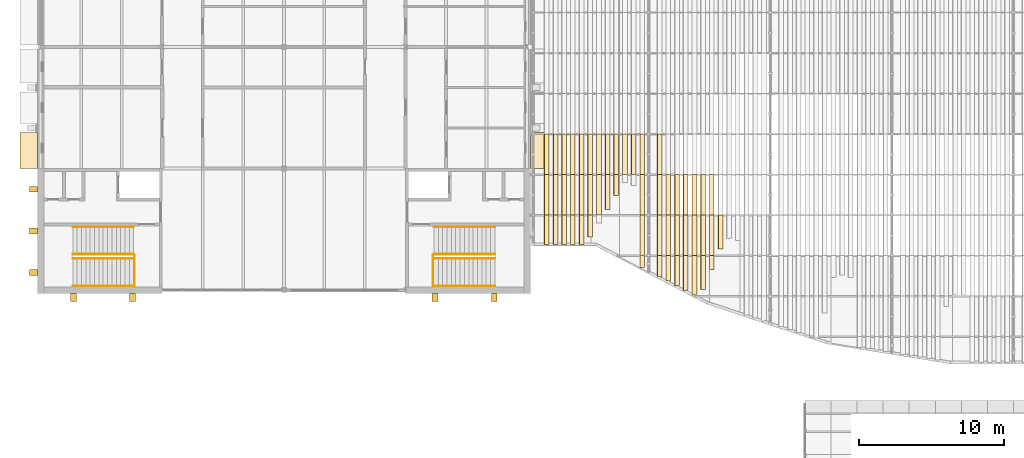
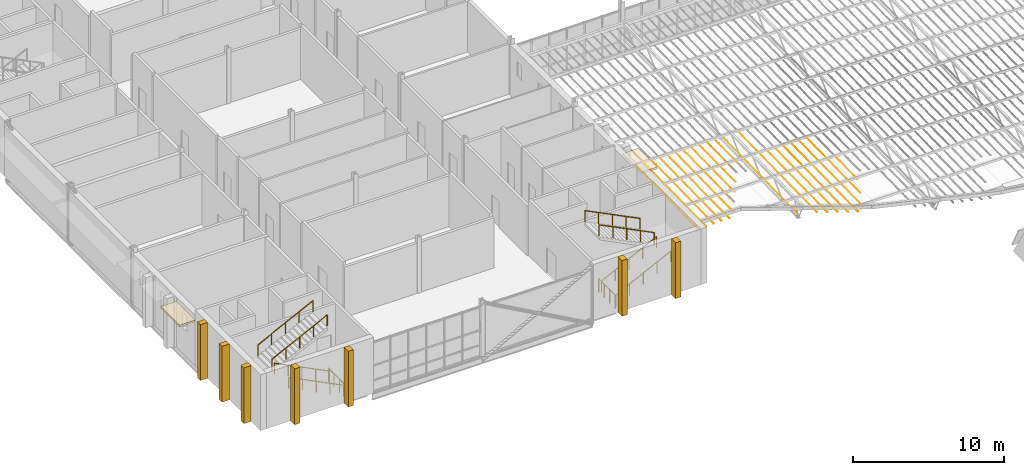
# One storey, part 115 of 129: 62 coverings, 10 railings.
"""IFC4 building model written with IfcOpenShell, lengths in metres."""

from ifc_helpers import new_model, si_unit, direction, frame, origin, origin_2d, place, context, subcontext, project, spatial, polyline, rectangle, circle, outline, extrude, material, layer, layer_set, material_profile, profile_set, type_object, element, save


model = new_model("IFC4")

# Units and contexts
model_context = context("Model", 3, precision=1e-05, world=origin(), true_north=direction((0.0, 1.0)))
body_context = subcontext(model_context, "Body", "Model", "MODEL_VIEW")
ifc_project = project(units=[si_unit("LENGTHUNIT", "METRE"), si_unit("AREAUNIT", "SQUARE_METRE"), si_unit("VOLUMEUNIT", "CUBIC_METRE"), si_unit("PLANEANGLEUNIT", "RADIAN"), si_unit("MASSUNIT", "GRAM", prefix="KILO")], contexts=[model_context])

# Site, building, storey
site_placement = place(None, origin())
site = spatial("IfcSite", under=ifc_project, at=site_placement, CompositionType="ELEMENT")
building_placement = place(site_placement, origin())
building = spatial("IfcBuilding", under=site, at=building_placement, Name="Ardhachandra Cancer Care Centre", CompositionType="ELEMENT")
storey_placement = place(building_placement, frame((0.0, 0.0, 4.5)))
storey = spatial("IfcBuildingStorey", under=building, at=storey_placement, Name="L01", CompositionType="ELEMENT", Elevation=4.5)

# Railings
ifc_material_1 = material(Name="Steel E250 (IS 2062)", Category="steel")
railing_type_1 = type_object("IfcRailingType", Name="Guard 1100", PredefinedType="GUARDRAIL", material=ifc_material_1)
for number, where, name in (
    (1, (17.284912109375, 29.655029296875, 0.0), "Stair well guard K1 L01"),
    (2, (37.9150390625, 29.655029296875, 0.0), "Stair well guard K2 L01"),
):
    element("IfcRailing", number, at=place(storey_placement, frame(where)), inside=storey, type_object=railing_type_1, Name=name, PredefinedType="GUARDRAIL", context=body_context, shape_type="SweptSolid", body=[
        extrude(circle(Radius=0.02392578125, at=origin_2d()), frame((0.0, 0.0, 1.076171875), z_axis=(0.0, 1.0, 0.0), x_axis=(-1.0, 0.0, 0.0)), (0.0, 0.0, 1.0), 2.169921875),
        extrude(circle(Radius=0.02099609375, at=origin_2d()), origin(), (0.0, 0.0, 1.0), 1.052001953125),
        extrude(circle(Radius=0.02099609375, at=origin_2d()), frame((0.0, 0.723388671875, 0.0)), (0.0, 0.0, 1.0), 1.052001953125),
        extrude(circle(Radius=0.02099609375, at=origin_2d()), frame((0.0, 1.446533203125, 0.0)), (0.0, 0.0, 1.0), 1.052001953125),
        extrude(circle(Radius=0.02099609375, at=origin_2d()), frame((0.0, 2.169921875, 0.0)), (0.0, 0.0, 1.0), 1.052001953125),
    ])

# Coverings
ifc_material_2 = material(Name="Anodised aluminium", Category="aluminium")
ifc_material_profile = material_profile(ifc_material_2, outline(polyline([(-0.01220703125, 0.0), (0.01220703125, 0.0), (0.327392578125, -0.449951171875), (0.302978515625, -0.449951171875), (-0.01220703125, 0.0)])), Name="Louvre fin 450")
ifc_profile_set = profile_set([ifc_material_profile], Name="Anodised aluminium")
covering_type_1 = type_object("IfcCoveringType", Name="Louvre fin 450", PredefinedType="CLADDING", material=ifc_profile_set)
for number, where, z_axis, x_axis, name in (
    (3, (45.60009765625, 40.175048828125, 2.46337890625), (0.0, -0.999800721691, -0.019962888244), (1.0, 0.0, 0.0), "Louvre fin 2-6"),
    (4, (45.60009765625, 37.375, 2.407470703125), (0.0, -0.999800721691, -0.019962888244), (1.0, 0.0, 0.0), "Louvre fin 2-7"),
):
    element("IfcCovering", number, at=place(storey_placement, frame(where, z_axis=z_axis, x_axis=x_axis)), inside=storey, type_object=covering_type_1, Name=name, PredefinedType="CLADDING", context=body_context, shape_type="SweptSolid", body=[
        extrude(outline(polyline([(-0.01220703125, 0.0), (0.01220703125, 0.0), (0.327392578125, -0.449951171875), (0.302978515625, -0.449951171875), (-0.01220703125, 0.0)])), origin(), (0.0, 0.0, 1.0), 2.800537109375),
    ])
covering_1_placement = place(storey_placement, frame((45.60009765625, 34.574951171875, 2.3515625), z_axis=(0.0, -0.999798314739, -0.020083073602), x_axis=(1.0, 0.0, 0.0)))
element("IfcCovering", 5, at=covering_1_placement, inside=storey, type_object=covering_type_1, Name="Louvre fin 2-8", PredefinedType="CLADDING", context=body_context, shape_type="SweptSolid", body=[
    extrude(outline(polyline([(-0.01220703125, 0.0), (0.01220703125, 0.0), (0.327392578125, -0.449951171875), (0.302978515625, -0.449951171875), (-0.01220703125, 0.0)])), origin(), (0.0, 0.0, 1.0), 2.01806640625),
])
for number, where, z_axis, x_axis, name in (
    (6, (46.199951171875, 40.175048828125, 2.46337890625), (0.0, -0.999800721691, -0.019962888244), (1.0, 0.0, 0.0), "Louvre fin 3-6"),
    (7, (46.199951171875, 37.375, 2.407470703125), (0.0, -0.999800721691, -0.019962888244), (1.0, 0.0, 0.0), "Louvre fin 3-7"),
):
    element("IfcCovering", number, at=place(storey_placement, frame(where, z_axis=z_axis, x_axis=x_axis)), inside=storey, type_object=covering_type_1, Name=name, PredefinedType="CLADDING", context=body_context, shape_type="SweptSolid", body=[
        extrude(outline(polyline([(-0.01220703125, 0.0), (0.01220703125, 0.0), (0.327392578125, -0.449951171875), (0.302978515625, -0.449951171875), (-0.01220703125, 0.0)])), origin(), (0.0, 0.0, 1.0), 2.800537109375),
    ])
covering_2_placement = place(storey_placement, frame((46.199951171875, 34.574951171875, 2.3515625), z_axis=(0.0, -0.999798314739, -0.020083073602), x_axis=(1.0, 0.0, 0.0)))
element("IfcCovering", 8, at=covering_2_placement, inside=storey, type_object=covering_type_1, Name="Louvre fin 3-8", PredefinedType="CLADDING", context=body_context, shape_type="SweptSolid", body=[
    extrude(outline(polyline([(-0.01220703125, 0.0), (0.01220703125, 0.0), (0.327392578125, -0.449951171875), (0.302978515625, -0.449951171875), (-0.01220703125, 0.0)])), origin(), (0.0, 0.0, 1.0), 2.01806640625),
])
for number, where, z_axis, x_axis, name in (
    (9, (46.800048828125, 40.175048828125, 2.46337890625), (0.0, -0.999800721691, -0.019962888244), (1.0, 0.0, 0.0), "Louvre fin 4-6"),
    (10, (46.800048828125, 37.375, 2.407470703125), (0.0, -0.999800721691, -0.019962888244), (1.0, 0.0, 0.0), "Louvre fin 4-7"),
):
    element("IfcCovering", number, at=place(storey_placement, frame(where, z_axis=z_axis, x_axis=x_axis)), inside=storey, type_object=covering_type_1, Name=name, PredefinedType="CLADDING", context=body_context, shape_type="SweptSolid", body=[
        extrude(outline(polyline([(-0.01220703125, 0.0), (0.01220703125, 0.0), (0.327392578125, -0.449951171875), (0.302978515625, -0.449951171875), (-0.01220703125, 0.0)])), origin(), (0.0, 0.0, 1.0), 2.800537109375),
    ])
covering_3_placement = place(storey_placement, frame((46.800048828125, 34.574951171875, 2.3515625), z_axis=(0.0, -0.999798314739, -0.020083073602), x_axis=(1.0, 0.0, 0.0)))
element("IfcCovering", 11, at=covering_3_placement, inside=storey, type_object=covering_type_1, Name="Louvre fin 4-8", PredefinedType="CLADDING", context=body_context, shape_type="SweptSolid", body=[
    extrude(outline(polyline([(-0.01220703125, 0.0), (0.01220703125, 0.0), (0.327392578125, -0.449951171875), (0.302978515625, -0.449951171875), (-0.01220703125, 0.0)])), origin(), (0.0, 0.0, 1.0), 2.01806640625),
])
for number, where, z_axis, x_axis, name in (
    (12, (47.39990234375, 40.175048828125, 2.46337890625), (0.0, -0.999800721691, -0.019962888244), (1.0, 0.0, 0.0), "Louvre fin 5-6"),
    (13, (47.39990234375, 37.375, 2.407470703125), (0.0, -0.999800721691, -0.019962888244), (1.0, 0.0, 0.0), "Louvre fin 5-7"),
):
    element("IfcCovering", number, at=place(storey_placement, frame(where, z_axis=z_axis, x_axis=x_axis)), inside=storey, type_object=covering_type_1, Name=name, PredefinedType="CLADDING", context=body_context, shape_type="SweptSolid", body=[
        extrude(outline(polyline([(-0.01220703125, 0.0), (0.01220703125, 0.0), (0.327392578125, -0.449951171875), (0.302978515625, -0.449951171875), (-0.01220703125, 0.0)])), origin(), (0.0, 0.0, 1.0), 2.800537109375),
    ])
covering_4_placement = place(storey_placement, frame((47.39990234375, 34.574951171875, 2.3515625), z_axis=(0.0, -0.999798314739, -0.020083073602), x_axis=(1.0, 0.0, 0.0)))
element("IfcCovering", 14, at=covering_4_placement, inside=storey, type_object=covering_type_1, Name="Louvre fin 5-8", PredefinedType="CLADDING", context=body_context, shape_type="SweptSolid", body=[
    extrude(outline(polyline([(-0.01220703125, 0.0), (0.01220703125, 0.0), (0.327392578125, -0.449951171875), (0.302978515625, -0.449951171875), (-0.01220703125, 0.0)])), origin(), (0.0, 0.0, 1.0), 2.01806640625),
])
for number, where, z_axis, x_axis, name in (
    (15, (48.0, 40.175048828125, 2.46337890625), (0.0, -0.999800721691, -0.019962888244), (1.0, 0.0, 0.0), "Louvre fin 6-6"),
    (16, (48.0, 37.375, 2.407470703125), (0.0, -0.999800721691, -0.019962888244), (1.0, 0.0, 0.0), "Louvre fin 6-7"),
):
    element("IfcCovering", number, at=place(storey_placement, frame(where, z_axis=z_axis, x_axis=x_axis)), inside=storey, type_object=covering_type_1, Name=name, PredefinedType="CLADDING", context=body_context, shape_type="SweptSolid", body=[
        extrude(outline(polyline([(-0.01220703125, 0.0), (0.01220703125, 0.0), (0.327392578125, -0.449951171875), (0.302978515625, -0.449951171875), (-0.01220703125, 0.0)])), origin(), (0.0, 0.0, 1.0), 2.800537109375),
    ])
covering_5_placement = place(storey_placement, frame((48.0, 34.574951171875, 2.3515625), z_axis=(0.0, -0.999798314739, -0.020083073602), x_axis=(1.0, 0.0, 0.0)))
element("IfcCovering", 17, at=covering_5_placement, inside=storey, type_object=covering_type_1, Name="Louvre fin 6-8", PredefinedType="CLADDING", context=body_context, shape_type="SweptSolid", body=[
    extrude(outline(polyline([(-0.01220703125, 0.0), (0.01220703125, 0.0), (0.327392578125, -0.449951171875), (0.302978515625, -0.449951171875), (-0.01220703125, 0.0)])), origin(), (0.0, 0.0, 1.0), 2.01806640625),
])
for number, where, z_axis, x_axis, name in (
    (18, (48.60009765625, 40.175048828125, 2.46337890625), (0.0, -0.999800721691, -0.019962888244), (1.0, 0.0, 0.0), "Louvre fin 7-6"),
    (19, (48.60009765625, 37.375, 2.407470703125), (0.0, -0.999800721691, -0.019962888244), (1.0, 0.0, 0.0), "Louvre fin 7-7"),
):
    element("IfcCovering", number, at=place(storey_placement, frame(where, z_axis=z_axis, x_axis=x_axis)), inside=storey, type_object=covering_type_1, Name=name, PredefinedType="CLADDING", context=body_context, shape_type="SweptSolid", body=[
        extrude(outline(polyline([(-0.01220703125, 0.0), (0.01220703125, 0.0), (0.327392578125, -0.449951171875), (0.302978515625, -0.449951171875), (-0.01220703125, 0.0)])), origin(), (0.0, 0.0, 1.0), 2.800537109375),
    ])
covering_6_placement = place(storey_placement, frame((48.60009765625, 34.574951171875, 2.3515625), z_axis=(0.0, -0.999799669399, -0.020015520725), x_axis=(1.0, 0.0, 0.0)))
element("IfcCovering", 20, at=covering_6_placement, inside=storey, type_object=covering_type_1, Name="Louvre fin 7-8", PredefinedType="CLADDING", context=body_context, shape_type="SweptSolid", body=[
    extrude(outline(polyline([(-0.01220703125, 0.0), (0.01220703125, 0.0), (0.327392578125, -0.449951171875), (0.302978515625, -0.449951171875), (-0.01220703125, 0.0)])), origin(), (0.0, 0.0, 1.0), 1.500244140625),
])
for number, where, z_axis, x_axis, name in (
    (21, (49.199951171875, 40.175048828125, 2.46337890625), (0.0, -0.999800721691, -0.019962888244), (1.0, 0.0, 0.0), "Louvre fin 8-6"),
    (22, (49.199951171875, 37.375, 2.407470703125), (0.0, -0.999800721691, -0.019962888244), (1.0, 0.0, 0.0), "Louvre fin 8-7"),
    (23, (49.800048828125, 40.175048828125, 2.46337890625), (0.0, -0.999800721691, -0.019962888244), (1.0, 0.0, 0.0), "Louvre fin 9-6"),
):
    element("IfcCovering", number, at=place(storey_placement, frame(where, z_axis=z_axis, x_axis=x_axis)), inside=storey, type_object=covering_type_1, Name=name, PredefinedType="CLADDING", context=body_context, shape_type="SweptSolid", body=[
        extrude(outline(polyline([(-0.01220703125, 0.0), (0.01220703125, 0.0), (0.327392578125, -0.449951171875), (0.302978515625, -0.449951171875), (-0.01220703125, 0.0)])), origin(), (0.0, 0.0, 1.0), 2.800537109375),
    ])
covering_7_placement = place(storey_placement, frame((49.800048828125, 37.375, 2.407470703125), z_axis=(0.0, -0.999801278141, -0.019935000052), x_axis=(1.0, 0.0, 0.0)))
element("IfcCovering", 24, at=covering_7_placement, inside=storey, type_object=covering_type_1, Name="Louvre fin 9-7", PredefinedType="CLADDING", context=body_context, shape_type="SweptSolid", body=[
    extrude(outline(polyline([(-0.01220703125, 0.0), (0.01220703125, 0.0), (0.327392578125, -0.449951171875), (0.302978515625, -0.449951171875), (-0.01220703125, 0.0)])), origin(), (0.0, 0.0, 1.0), 2.400390625),
])
covering_8_placement = place(storey_placement, frame((50.39990234375, 40.175048828125, 2.46337890625), z_axis=(0.0, -0.999800721691, -0.019962888244), x_axis=(1.0, 0.0, 0.0)))
element("IfcCovering", 25, at=covering_8_placement, inside=storey, type_object=covering_type_1, Name="Louvre fin 10-6", PredefinedType="CLADDING", context=body_context, shape_type="SweptSolid", body=[
    extrude(outline(polyline([(-0.01220703125, 0.0), (0.01220703125, 0.0), (0.327392578125, -0.449951171875), (0.302978515625, -0.449951171875), (-0.01220703125, 0.0)])), origin(), (0.0, 0.0, 1.0), 2.800537109375),
])
covering_9_placement = place(storey_placement, frame((50.39990234375, 37.375, 2.407470703125), z_axis=(0.0, -0.999799318874, -0.020033022217), x_axis=(1.0, 0.0, 0.0)))
element("IfcCovering", 26, at=covering_9_placement, inside=storey, type_object=covering_type_1, Name="Louvre fin 10-7", PredefinedType="CLADDING", context=body_context, shape_type="SweptSolid", body=[
    extrude(outline(polyline([(-0.01220703125, 0.0), (0.01220703125, 0.0), (0.327392578125, -0.449951171875), (0.302978515625, -0.449951171875), (-0.01220703125, 0.0)])), origin(), (0.0, 0.0, 1.0), 1.4501953125),
])
for number, where, z_axis, x_axis, name in (
    (27, (51.0, 40.175048828125, 2.46337890625), (0.0, -0.999800721691, -0.019962888244), (1.0, 0.0, 0.0), "Louvre fin 11-6"),
    (28, (51.60009765625, 40.175048828125, 2.46337890625), (0.0, -0.999800721691, -0.019962888244), (1.0, 0.0, 0.0), "Louvre fin 12-6"),
    (29, (52.199951171875, 40.175048828125, 2.46337890625), (0.0, -0.999800721691, -0.019962888244), (1.0, 0.0, 0.0), "Louvre fin 13-6"),
    (30, (52.199951171875, 37.375, 2.407470703125), (0.0, -0.999800721691, -0.019962888244), (1.0, 0.0, 0.0), "Louvre fin 13-7"),
    (31, (52.199951171875, 34.574951171875, 2.3515625), (0.0, -0.999798977995, -0.02005002746), (1.0, 0.0, 0.0), "Louvre fin 13-8"),
):
    element("IfcCovering", number, at=place(storey_placement, frame(where, z_axis=z_axis, x_axis=x_axis)), inside=storey, type_object=covering_type_1, Name=name, PredefinedType="CLADDING", context=body_context, shape_type="SweptSolid", body=[
        extrude(outline(polyline([(-0.01220703125, 0.0), (0.01220703125, 0.0), (0.327392578125, -0.449951171875), (0.302978515625, -0.449951171875), (-0.01220703125, 0.0)])), origin(), (0.0, 0.0, 1.0), 2.800537109375),
    ])
covering_10_placement = place(storey_placement, frame((52.199951171875, 31.77490234375, 2.29541015625), z_axis=(0.0, -0.999802776604, -0.019859705316), x_axis=(1.0, 0.0, 0.0)))
element("IfcCovering", 32, at=covering_10_placement, inside=storey, type_object=covering_type_1, Name="Louvre fin 13-9", PredefinedType="CLADDING", context=body_context, shape_type="SweptSolid", body=[
    extrude(outline(polyline([(-0.01220703125, 0.0), (0.01220703125, 0.0), (0.327392578125, -0.449951171875), (0.302978515625, -0.449951171875), (-0.01220703125, 0.0)])), origin(), (0.0, 0.0, 1.0), 0.82373046875),
])
for number, where, z_axis, x_axis, name in (
    (33, (53.39990234375, 40.175048828125, 2.46337890625), (0.0, -0.999800721691, -0.019962888244), (1.0, 0.0, 0.0), "Louvre fin 15-6"),
    (34, (53.39990234375, 37.375, 2.407470703125), (0.0, -0.999800721691, -0.019962888244), (1.0, 0.0, 0.0), "Louvre fin 15-7"),
    (35, (53.39990234375, 34.574951171875, 2.3515625), (0.0, -0.999798977995, -0.02005002746), (1.0, 0.0, 0.0), "Louvre fin 15-8"),
):
    element("IfcCovering", number, at=place(storey_placement, frame(where, z_axis=z_axis, x_axis=x_axis)), inside=storey, type_object=covering_type_1, Name=name, PredefinedType="CLADDING", context=body_context, shape_type="SweptSolid", body=[
        extrude(outline(polyline([(-0.01220703125, 0.0), (0.01220703125, 0.0), (0.327392578125, -0.449951171875), (0.302978515625, -0.449951171875), (-0.01220703125, 0.0)])), origin(), (0.0, 0.0, 1.0), 2.800537109375),
    ])
covering_11_placement = place(storey_placement, frame((53.39990234375, 31.77490234375, 2.29541015625), z_axis=(0.0, -0.999799588843, -0.020019544182), x_axis=(1.0, 0.0, 0.0)))
element("IfcCovering", 36, at=covering_11_placement, inside=storey, type_object=covering_type_1, Name="Louvre fin 15-9", PredefinedType="CLADDING", context=body_context, shape_type="SweptSolid", body=[
    extrude(outline(polyline([(-0.01220703125, 0.0), (0.01220703125, 0.0), (0.327392578125, -0.449951171875), (0.302978515625, -0.449951171875), (-0.01220703125, 0.0)])), origin(), (0.0, 0.0, 1.0), 1.451171875),
])
for number, where, z_axis, x_axis, name in (
    (37, (54.0, 37.375, 2.407470703125), (0.0, -0.999800721691, -0.019962888244), (1.0, 0.0, 0.0), "Louvre fin 16-7"),
    (38, (54.0, 34.574951171875, 2.3515625), (0.0, -0.999798977995, -0.02005002746), (1.0, 0.0, 0.0), "Louvre fin 16-8"),
):
    element("IfcCovering", number, at=place(storey_placement, frame(where, z_axis=z_axis, x_axis=x_axis)), inside=storey, type_object=covering_type_1, Name=name, PredefinedType="CLADDING", context=body_context, shape_type="SweptSolid", body=[
        extrude(outline(polyline([(-0.01220703125, 0.0), (0.01220703125, 0.0), (0.327392578125, -0.449951171875), (0.302978515625, -0.449951171875), (-0.01220703125, 0.0)])), origin(), (0.0, 0.0, 1.0), 2.800537109375),
    ])
covering_12_placement = place(storey_placement, frame((54.0, 31.77490234375, 2.29541015625), z_axis=(0.0, -0.999801605584, -0.019918571002), x_axis=(1.0, 0.0, 0.0)))
element("IfcCovering", 39, at=covering_12_placement, inside=storey, type_object=covering_type_1, Name="Louvre fin 16-9", PredefinedType="CLADDING", context=body_context, shape_type="SweptSolid", body=[
    extrude(outline(polyline([(-0.01220703125, 0.0), (0.01220703125, 0.0), (0.327392578125, -0.449951171875), (0.302978515625, -0.449951171875), (-0.01220703125, 0.0)])), origin(), (0.0, 0.0, 1.0), 1.764892578125),
])
for number, where, z_axis, x_axis, name in (
    (40, (54.60009765625, 37.375, 2.407470703125), (0.0, -0.999800721691, -0.019962888244), (1.0, 0.0, 0.0), "Louvre fin 17-7"),
    (41, (54.60009765625, 34.574951171875, 2.3515625), (0.0, -0.999798977995, -0.02005002746), (1.0, 0.0, 0.0), "Louvre fin 17-8"),
):
    element("IfcCovering", number, at=place(storey_placement, frame(where, z_axis=z_axis, x_axis=x_axis)), inside=storey, type_object=covering_type_1, Name=name, PredefinedType="CLADDING", context=body_context, shape_type="SweptSolid", body=[
        extrude(outline(polyline([(-0.01220703125, 0.0), (0.01220703125, 0.0), (0.327392578125, -0.449951171875), (0.302978515625, -0.449951171875), (-0.01220703125, 0.0)])), origin(), (0.0, 0.0, 1.0), 2.800537109375),
    ])
covering_13_placement = place(storey_placement, frame((54.60009765625, 31.77490234375, 2.29541015625), z_axis=(0.0, -0.999800669979, -0.019965477963), x_axis=(1.0, 0.0, 0.0)))
element("IfcCovering", 42, at=covering_13_placement, inside=storey, type_object=covering_type_1, Name="Louvre fin 17-9", PredefinedType="CLADDING", context=body_context, shape_type="SweptSolid", body=[
    extrude(outline(polyline([(-0.01220703125, 0.0), (0.01220703125, 0.0), (0.327392578125, -0.449951171875), (0.302978515625, -0.449951171875), (-0.01220703125, 0.0)])), origin(), (0.0, 0.0, 1.0), 2.078857421875),
])
for number, where, z_axis, x_axis, name in (
    (43, (55.199951171875, 37.375, 2.407470703125), (0.0, -0.999800721691, -0.019962888244), (1.0, 0.0, 0.0), "Louvre fin 18-7"),
    (44, (55.199951171875, 34.574951171875, 2.3515625), (0.0, -0.999798977995, -0.02005002746), (1.0, 0.0, 0.0), "Louvre fin 18-8"),
):
    element("IfcCovering", number, at=place(storey_placement, frame(where, z_axis=z_axis, x_axis=x_axis)), inside=storey, type_object=covering_type_1, Name=name, PredefinedType="CLADDING", context=body_context, shape_type="SweptSolid", body=[
        extrude(outline(polyline([(-0.01220703125, 0.0), (0.01220703125, 0.0), (0.327392578125, -0.449951171875), (0.302978515625, -0.449951171875), (-0.01220703125, 0.0)])), origin(), (0.0, 0.0, 1.0), 2.800537109375),
    ])
covering_14_placement = place(storey_placement, frame((55.199951171875, 31.77490234375, 2.29541015625), z_axis=(0.0, -0.999799978371, -0.020000081217), x_axis=(1.0, 0.0, 0.0)))
element("IfcCovering", 45, at=covering_14_placement, inside=storey, type_object=covering_type_1, Name="Louvre fin 18-9", PredefinedType="CLADDING", context=body_context, shape_type="SweptSolid", body=[
    extrude(outline(polyline([(-0.01220703125, 0.0), (0.01220703125, 0.0), (0.327392578125, -0.449951171875), (0.302978515625, -0.449951171875), (-0.01220703125, 0.0)])), origin(), (0.0, 0.0, 1.0), 2.392578125),
])
for number, where, z_axis, x_axis, name in (
    (46, (55.800048828125, 37.375, 2.407470703125), (0.0, -0.999800721691, -0.019962888244), (1.0, 0.0, 0.0), "Louvre fin 19-7"),
    (47, (55.800048828125, 34.574951171875, 2.3515625), (0.0, -0.999798977995, -0.02005002746), (1.0, 0.0, 0.0), "Louvre fin 19-8"),
):
    element("IfcCovering", number, at=place(storey_placement, frame(where, z_axis=z_axis, x_axis=x_axis)), inside=storey, type_object=covering_type_1, Name=name, PredefinedType="CLADDING", context=body_context, shape_type="SweptSolid", body=[
        extrude(outline(polyline([(-0.01220703125, 0.0), (0.01220703125, 0.0), (0.327392578125, -0.449951171875), (0.302978515625, -0.449951171875), (-0.01220703125, 0.0)])), origin(), (0.0, 0.0, 1.0), 2.800537109375),
    ])
covering_15_placement = place(storey_placement, frame((55.800048828125, 31.77490234375, 2.29541015625), z_axis=(0.0, -0.999801248509, -0.019936486143), x_axis=(1.0, 0.0, 0.0)))
element("IfcCovering", 48, at=covering_15_placement, inside=storey, type_object=covering_type_1, Name="Louvre fin 19-9", PredefinedType="CLADDING", context=body_context, shape_type="SweptSolid", body=[
    extrude(outline(polyline([(-0.01220703125, 0.0), (0.01220703125, 0.0), (0.327392578125, -0.449951171875), (0.302978515625, -0.449951171875), (-0.01220703125, 0.0)])), origin(), (0.0, 0.0, 1.0), 2.706298828125),
])
for number, where, z_axis, x_axis, name in (
    (49, (56.39990234375, 37.375, 2.407470703125), (0.0, -0.999800721691, -0.019962888244), (1.0, 0.0, 0.0), "Louvre fin 20-7"),
    (50, (56.39990234375, 34.574951171875, 2.3515625), (0.0, -0.999798977995, -0.02005002746), (1.0, 0.0, 0.0), "Louvre fin 20-8"),
):
    element("IfcCovering", number, at=place(storey_placement, frame(where, z_axis=z_axis, x_axis=x_axis)), inside=storey, type_object=covering_type_1, Name=name, PredefinedType="CLADDING", context=body_context, shape_type="SweptSolid", body=[
        extrude(outline(polyline([(-0.01220703125, 0.0), (0.01220703125, 0.0), (0.327392578125, -0.449951171875), (0.302978515625, -0.449951171875), (-0.01220703125, 0.0)])), origin(), (0.0, 0.0, 1.0), 2.800537109375),
    ])
covering_16_placement = place(storey_placement, frame((56.39990234375, 31.77490234375, 2.29541015625), z_axis=(0.0, -0.999801096971, -0.01994408422), x_axis=(1.0, 0.0, 0.0)))
element("IfcCovering", 51, at=covering_16_placement, inside=storey, type_object=covering_type_1, Name="Louvre fin 20-9", PredefinedType="CLADDING", context=body_context, shape_type="SweptSolid", body=[
    extrude(outline(polyline([(-0.01220703125, 0.0), (0.01220703125, 0.0), (0.327392578125, -0.449951171875), (0.302978515625, -0.449951171875), (-0.01220703125, 0.0)])), origin(), (0.0, 0.0, 1.0), 2.350341796875),
])
for number, where, z_axis, x_axis, name in (
    (52, (57.0, 37.375, 2.407470703125), (0.0, -0.999800721691, -0.019962888244), (1.0, 0.0, 0.0), "Louvre fin 21-7"),
    (53, (57.0, 34.574951171875, 2.3515625), (0.0, -0.999798977995, -0.02005002746), (1.0, 0.0, 0.0), "Louvre fin 21-8"),
):
    element("IfcCovering", number, at=place(storey_placement, frame(where, z_axis=z_axis, x_axis=x_axis)), inside=storey, type_object=covering_type_1, Name=name, PredefinedType="CLADDING", context=body_context, shape_type="SweptSolid", body=[
        extrude(outline(polyline([(-0.01220703125, 0.0), (0.01220703125, 0.0), (0.327392578125, -0.449951171875), (0.302978515625, -0.449951171875), (-0.01220703125, 0.0)])), origin(), (0.0, 0.0, 1.0), 2.800537109375),
    ])
covering_17_placement = place(storey_placement, frame((57.0, 31.77490234375, 2.29541015625), z_axis=(0.0, -0.999804250141, -0.019785383516), x_axis=(1.0, 0.0, 0.0)))
element("IfcCovering", 54, at=covering_17_placement, inside=storey, type_object=covering_type_1, Name="Louvre fin 21-9", PredefinedType="CLADDING", context=body_context, shape_type="SweptSolid", body=[
    extrude(outline(polyline([(-0.01220703125, 0.0), (0.01220703125, 0.0), (0.327392578125, -0.449951171875), (0.302978515625, -0.449951171875), (-0.01220703125, 0.0)])), origin(), (0.0, 0.0, 1.0), 0.9501953125),
])
covering_18_placement = place(storey_placement, frame((57.60009765625, 34.574951171875, 2.3515625), z_axis=(0.0, -0.999799020295, -0.020047918017), x_axis=(1.0, 0.0, 0.0)))
element("IfcCovering", 55, at=covering_18_placement, inside=storey, type_object=covering_type_1, Name="Louvre fin 22-8", PredefinedType="CLADDING", context=body_context, shape_type="SweptSolid", body=[
    extrude(outline(polyline([(-0.01220703125, 0.0), (0.01220703125, 0.0), (0.327392578125, -0.449951171875), (0.302978515625, -0.449951171875), (-0.01220703125, 0.0)])), origin(), (0.0, 0.0, 1.0), 2.350341796875),
])
ifc_material_3 = material(Name="Precast Concrete M25", Category="concrete")
ifc_layer_1 = layer(ifc_material_3, 0.39990234375)
ifc_layer_set_1 = layer_set([ifc_layer_1], Name="Precast Concrete M25")
covering_type_2 = type_object("IfcCoveringType", Name="Precast concrete fin 400 x 550", PredefinedType="CLADDING", material=ifc_layer_set_1)
for number, where, z_axis, x_axis, name in (
    (56, (10.300048828125, 30.612548828125, 0.0), (0.0, 0.0, 1.0), (0.0, 1.0, 0.0), "Fin L01 core K1 1"),
    (57, (10.300048828125, 33.487548828125, 0.0), (0.0, 0.0, 1.0), (0.0, 1.0, 0.0), "Fin L01 core K1 2"),
    (58, (10.300048828125, 36.362548828125, 0.0), (0.0, 0.0, 1.0), (0.0, 1.0, 0.0), "Fin L01 core K1 3"),
    (59, (13.06884765625, 28.89990234375, 0.0), (0.0, 0.0, 1.0), (1.0, 0.0, 0.0), "Fin L01 core K1 1"),
    (60, (17.15625, 28.89990234375, 0.0), (0.0, 0.0, 1.0), (1.0, 0.0, 0.0), "Fin L01 core K1 2"),
    (61, (38.043701171875, 28.89990234375, 0.0), (0.0, 0.0, 1.0), (1.0, 0.0, 0.0), "Fin L01 core K2 1"),
    (62, (42.13134765625, 28.89990234375, 0.0), (0.0, 0.0, 1.0), (1.0, 0.0, 0.0), "Fin L01 core K2 2"),
):
    element("IfcCovering", number, at=place(storey_placement, frame(where, z_axis=z_axis, x_axis=x_axis)), inside=storey, type_object=covering_type_2, Name=name, PredefinedType="CLADDING", context=body_context, shape_type="SweptSolid", body=[
        extrude(rectangle(XDim=0.39990234375, YDim=0.550048828125, at=origin_2d()), origin(), (0.0, 0.0, 1.0), 4.5),
    ])
ifc_material_4 = material(Name="Precast Concrete M25", Category="concrete")
ifc_layer_2 = layer(ifc_material_4, 0.14990234375)
ifc_layer_set_2 = layer_set([ifc_layer_2], Name="Precast Concrete M25")
covering_type_3 = type_object("IfcCoveringType", Name="Precast sunshade band 1200 x 150", PredefinedType="CLADDING", material=ifc_layer_set_2)
for number, where, z_axis, x_axis, name in (
    (63, (45.22509765625, 39.050048828125, 3.550048828125), (0.0, 0.0, 1.0), (0.0, 1.0, 0.0), "Sunshade band L01 L01/e/0044400_0037800 1"),
    (64, (9.97509765625, 39.050048828125, 3.550048828125), (0.0, 0.0, 1.0), (0.0, 1.0, 0.0), "Sunshade band L01 L01/w/0010800_0037800 1"),
):
    element("IfcCovering", number, at=place(storey_placement, frame(where, z_axis=z_axis, x_axis=x_axis)), inside=storey, type_object=covering_type_3, Name=name, PredefinedType="CLADDING", context=body_context, shape_type="SweptSolid", body=[
        extrude(rectangle(XDim=2.5, YDim=1.199951171875, at=origin_2d()), origin(), (0.0, 0.0, 1.0), 0.14990234375),
    ])

# Railings
ifc_material_5 = material(Name="Steel E250 (IS 2062)", Category="steel")
railing_type_2 = type_object("IfcRailingType", Name="Stair handrail 900", PredefinedType="HANDRAIL", material=ifc_material_5)
for number, where, name in (
    (65, (17.22509765625, 29.68505859375, 0.14990234375), "Handrail K1 L01-L02 flight 1 wall side"),
    (66, (17.22509765625, 31.574951171875, 0.14990234375), "Handrail K1 L01-L02 flight 1 well side"),
):
    element("IfcRailing", number, at=place(storey_placement, frame(where)), inside=storey, type_object=railing_type_2, Name=name, PredefinedType="HANDRAIL", context=body_context, shape_type="SweptSolid", body=[
        extrude(circle(Radius=0.02392578125, at=origin_2d()), frame((0.0, 0.0, 0.8759765625), z_axis=(-0.894427191, 0.0, 0.4472135955), x_axis=(0.0, -1.0, 0.0)), (0.0, 0.0, 1.0), 4.696044921875),
        extrude(circle(Radius=0.02099609375, at=origin_2d()), origin(), (0.0, 0.0, 1.0), 0.851806640625),
        extrude(circle(Radius=0.02099609375, at=origin_2d()), frame((-1.050048828125, 0.0, 0.52490234375)), (0.0, 0.0, 1.0), 0.851806640625),
        extrude(circle(Radius=0.02099609375, at=origin_2d()), frame((-2.10009765625, 0.0, 1.050048828125)), (0.0, 0.0, 1.0), 0.851806640625),
        extrude(circle(Radius=0.02099609375, at=origin_2d()), frame((-3.150146484375, 0.0, 1.5751953125)), (0.0, 0.0, 1.0), 0.851806640625),
        extrude(circle(Radius=0.02099609375, at=origin_2d()), frame((-4.2001953125, 0.0, 2.10009765625)), (0.0, 0.0, 1.0), 0.851806640625),
    ])
for number, where, name in (
    (67, (13.02490234375, 31.875, 2.39990234375), "Handrail K1 L01-L02 flight 2 well side"),
    (68, (13.02490234375, 33.764892578125, 2.39990234375), "Handrail K1 L01-L02 flight 2 wall side"),
):
    element("IfcRailing", number, at=place(storey_placement, frame(where)), inside=storey, type_object=railing_type_2, Name=name, PredefinedType="HANDRAIL", context=body_context, shape_type="SweptSolid", body=[
        extrude(circle(Radius=0.02392578125, at=origin_2d()), frame((0.0, 0.0, 0.8759765625), z_axis=(0.894427191, 0.0, 0.4472135955), x_axis=(0.0, 1.0, 0.0)), (0.0, 0.0, 1.0), 4.696044921875),
        extrude(circle(Radius=0.02099609375, at=origin_2d()), origin(), (0.0, 0.0, 1.0), 0.851806640625),
        extrude(circle(Radius=0.02099609375, at=origin_2d()), frame((1.050048828125, 0.0, 0.52490234375)), (0.0, 0.0, 1.0), 0.851806640625),
        extrude(circle(Radius=0.02099609375, at=origin_2d()), frame((2.10009765625, 0.0, 1.050048828125)), (0.0, 0.0, 1.0), 0.851806640625),
        extrude(circle(Radius=0.02099609375, at=origin_2d()), frame((3.150146484375, 0.0, 1.5751953125)), (0.0, 0.0, 1.0), 0.851806640625),
        extrude(circle(Radius=0.02099609375, at=origin_2d()), frame((4.2001953125, 0.0, 2.10009765625)), (0.0, 0.0, 1.0), 0.851806640625),
    ])
for number, where, name in (
    (69, (37.97509765625, 29.68505859375, 0.14990234375), "Handrail K2 L01-L02 flight 1 wall side"),
    (70, (37.97509765625, 31.574951171875, 0.14990234375), "Handrail K2 L01-L02 flight 1 well side"),
):
    element("IfcRailing", number, at=place(storey_placement, frame(where)), inside=storey, type_object=railing_type_2, Name=name, PredefinedType="HANDRAIL", context=body_context, shape_type="SweptSolid", body=[
        extrude(circle(Radius=0.02392578125, at=origin_2d()), frame((0.0, 0.0, 0.8759765625), z_axis=(0.894416792377, 0.0, 0.447234392142), x_axis=(0.0, 1.0, 0.0)), (0.0, 0.0, 1.0), 4.69580078125),
        extrude(circle(Radius=0.02099609375, at=origin_2d()), origin(), (0.0, 0.0, 1.0), 0.851806640625),
        extrude(circle(Radius=0.02099609375, at=origin_2d()), frame((1.050048828125, 0.0, 0.52490234375)), (0.0, 0.0, 1.0), 0.851806640625),
        extrude(circle(Radius=0.02099609375, at=origin_2d()), frame((2.10009765625, 0.0, 1.050048828125)), (0.0, 0.0, 1.0), 0.851806640625),
        extrude(circle(Radius=0.02099609375, at=origin_2d()), frame((3.14990234375, 0.0, 1.5751953125)), (0.0, 0.0, 1.0), 0.851806640625),
        extrude(circle(Radius=0.02099609375, at=origin_2d()), frame((4.199951171875, 0.0, 2.10009765625)), (0.0, 0.0, 1.0), 0.851806640625),
    ])
for number, where, name in (
    (71, (42.175048828125, 31.875, 2.39990234375), "Handrail K2 L01-L02 flight 2 well side"),
    (72, (42.175048828125, 33.764892578125, 2.39990234375), "Handrail K2 L01-L02 flight 2 wall side"),
):
    element("IfcRailing", number, at=place(storey_placement, frame(where)), inside=storey, type_object=railing_type_2, Name=name, PredefinedType="HANDRAIL", context=body_context, shape_type="SweptSolid", body=[
        extrude(circle(Radius=0.02392578125, at=origin_2d()), frame((0.0, 0.0, 0.8759765625), z_axis=(-0.894416792377, 0.0, 0.447234392142), x_axis=(0.0, -1.0, 0.0)), (0.0, 0.0, 1.0), 4.69580078125),
        extrude(circle(Radius=0.02099609375, at=origin_2d()), origin(), (0.0, 0.0, 1.0), 0.851806640625),
        extrude(circle(Radius=0.02099609375, at=origin_2d()), frame((-1.050048828125, 0.0, 0.52490234375)), (0.0, 0.0, 1.0), 0.851806640625),
        extrude(circle(Radius=0.02099609375, at=origin_2d()), frame((-2.10009765625, 0.0, 1.050048828125)), (0.0, 0.0, 1.0), 0.851806640625),
        extrude(circle(Radius=0.02099609375, at=origin_2d()), frame((-3.14990234375, 0.0, 1.5751953125)), (0.0, 0.0, 1.0), 0.851806640625),
        extrude(circle(Radius=0.02099609375, at=origin_2d()), frame((-4.199951171875, 0.0, 2.10009765625)), (0.0, 0.0, 1.0), 0.851806640625),
    ])

save(model, "model.ifc")
